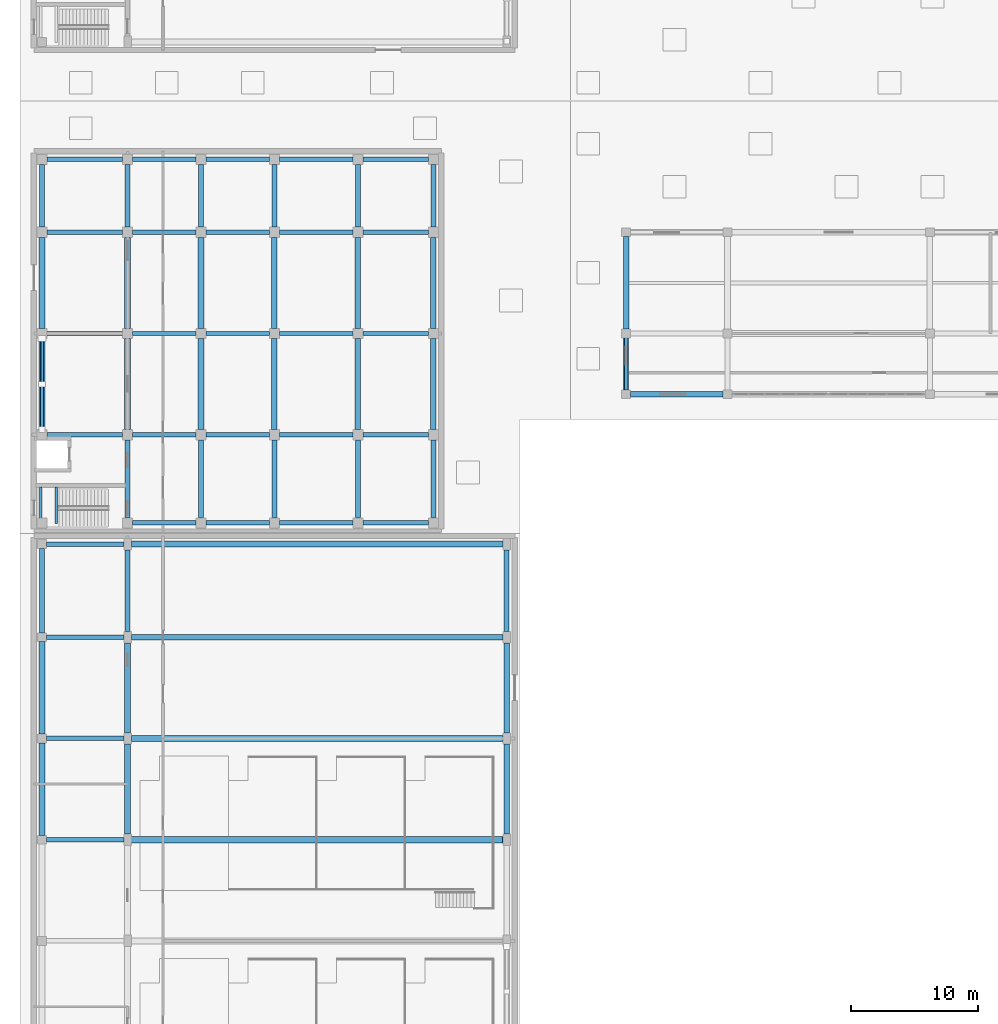
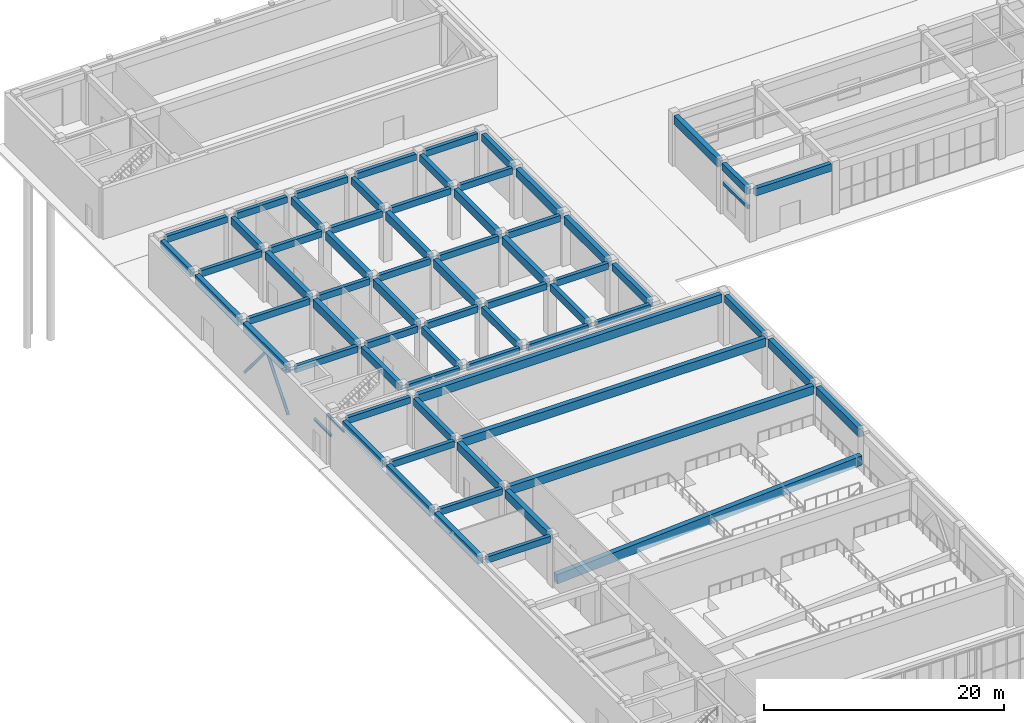
# One storey, part 9 of 46: 70 beams, 2 members.
"""IFC4 building model written with IfcOpenShell, lengths in metres."""

from ifc_helpers import new_model, si_unit, direction, frame, origin, origin_2d, place, context, subcontext, project, spatial, rectangle, hollow_circle, i_section, extrude, material, material_profile, profile_set, type_object, element, save


model = new_model("IFC4")

# Units and contexts
model_context = context("Model", 3, precision=1e-05, world=origin(), true_north=direction((0.0, 1.0)))
body_context = subcontext(model_context, "Body", "Model", "MODEL_VIEW")
ifc_project = project(units=[si_unit("LENGTHUNIT", "METRE"), si_unit("AREAUNIT", "SQUARE_METRE"), si_unit("VOLUMEUNIT", "CUBIC_METRE"), si_unit("PLANEANGLEUNIT", "RADIAN"), si_unit("MASSUNIT", "GRAM", prefix="KILO")], contexts=[model_context])

# Site, building, storey
site_placement = place(None, origin())
site = spatial("IfcSite", under=ifc_project, at=site_placement, CompositionType="ELEMENT")
building_placement = place(site_placement, origin())
building = spatial("IfcBuilding", under=site, at=building_placement, Name="Cinchona Park Media Centre", CompositionType="ELEMENT")
storey_placement = place(building_placement, origin())
storey = spatial("IfcBuildingStorey", under=building, at=storey_placement, Name="L00", CompositionType="ELEMENT", Elevation=0.0)

# Beams
ifc_material_1 = material(Name="Concrete C35/45", Category="concrete")
ifc_material_profile_1 = material_profile(ifc_material_1, rectangle(XDim=0.39990234375, YDim=0.75, at=origin_2d()), Name="RB 400X750")
ifc_profile_set_1 = profile_set([ifc_material_profile_1], Name="Concrete C35/45")
beam_type_1 = type_object("IfcBeamType", Name="BEAM-B01-RB400X750", PredefinedType="BEAM", material=ifc_profile_set_1)
beam_1_placement = place(storey_placement, frame((8.639892578125, 55.949951171875, 4.764892578125), z_axis=(0.0, 1.0, 0.0), x_axis=(-1.0, 0.0, 0.0)))
element("IfcBeam", 1, at=beam_1_placement, inside=storey, type_object=beam_type_1, Name="Girder B01 L00", PredefinedType="BEAM", context=body_context, shape_type="SweptSolid", body=[
    extrude(rectangle(XDim=0.39990234375, YDim=0.75, at=origin_2d()), origin(), (0.0, 0.0, 1.0), 6.66015625),
])
for number, where, z_axis, x_axis, name in (
    (2, (15.39990234375, 56.050048828125, 4.764892578125), (0.0, 1.0, 0.0), (-1.0, 0.0, 0.0), "Girder B01 L00"),
    (3, (45.360107421875, 56.050048828125, 4.764892578125), (0.0, 1.0, 0.0), (-1.0, 0.0, 0.0), "Girder B01 L00"),
):
    element("IfcBeam", number, at=place(storey_placement, frame(where, z_axis=z_axis, x_axis=x_axis)), inside=storey, type_object=beam_type_1, Name=name, PredefinedType="BEAM", context=body_context, shape_type="SweptSolid", body=[
        extrude(rectangle(XDim=0.39990234375, YDim=0.75, at=origin_2d()), origin(), (0.0, 0.0, 1.0), 6.4599609375),
    ])
beam_2_placement = place(storey_placement, frame((8.639892578125, 88.0, 4.7451171875), z_axis=(0.0, 1.0, 0.0), x_axis=(-1.0, 0.0, 0.0)))
element("IfcBeam", 4, at=beam_2_placement, inside=storey, type_object=beam_type_1, Name="Girder B01 L00", PredefinedType="BEAM", context=body_context, shape_type="SweptSolid", body=[
    extrude(rectangle(XDim=0.39990234375, YDim=0.75, at=origin_2d()), origin(), (0.0, 0.0, 1.0), 4.9599609375),
])
beam_3_placement = place(storey_placement, frame((15.39990234375, 65.0400390625, 4.7451171875), z_axis=(0.0, 1.0, 0.0), x_axis=(-1.0, 0.0, 0.0)))
element("IfcBeam", 5, at=beam_3_placement, inside=storey, type_object=beam_type_1, Name="Girder B01 L00", PredefinedType="BEAM", context=body_context, shape_type="SweptSolid", body=[
    extrude(rectangle(XDim=0.39990234375, YDim=0.75, at=origin_2d()), origin(), (0.0, 0.0, 1.0), 6.159912109375),
])
beam_4_placement = place(storey_placement, frame((15.39990234375, 88.0, 4.7451171875), z_axis=(0.0, 1.0, 0.0), x_axis=(-1.0, 0.0, 0.0)))
element("IfcBeam", 6, at=beam_4_placement, inside=storey, type_object=beam_type_1, Name="Girder B01 L00", PredefinedType="BEAM", context=body_context, shape_type="SweptSolid", body=[
    extrude(rectangle(XDim=0.39990234375, YDim=0.75, at=origin_2d()), origin(), (0.0, 0.0, 1.0), 4.9599609375),
])
beam_5_placement = place(storey_placement, frame((21.199951171875, 65.0400390625, 4.7451171875), z_axis=(0.0, 1.0, 0.0), x_axis=(-1.0, 0.0, 0.0)))
element("IfcBeam", 7, at=beam_5_placement, inside=storey, type_object=beam_type_1, Name="Girder B01 L00", PredefinedType="BEAM", context=body_context, shape_type="SweptSolid", body=[
    extrude(rectangle(XDim=0.39990234375, YDim=0.75, at=origin_2d()), origin(), (0.0, 0.0, 1.0), 6.159912109375),
])
beam_6_placement = place(storey_placement, frame((21.199951171875, 88.0, 4.7451171875), z_axis=(0.0, 1.0, 0.0), x_axis=(-1.0, 0.0, 0.0)))
element("IfcBeam", 8, at=beam_6_placement, inside=storey, type_object=beam_type_1, Name="Girder B01 L00", PredefinedType="BEAM", context=body_context, shape_type="SweptSolid", body=[
    extrude(rectangle(XDim=0.39990234375, YDim=0.75, at=origin_2d()), origin(), (0.0, 0.0, 1.0), 4.9599609375),
])
beam_7_placement = place(storey_placement, frame((27.0, 65.0400390625, 4.7451171875), z_axis=(0.0, 1.0, 0.0), x_axis=(-1.0, 0.0, 0.0)))
element("IfcBeam", 9, at=beam_7_placement, inside=storey, type_object=beam_type_1, Name="Girder B01 L00", PredefinedType="BEAM", context=body_context, shape_type="SweptSolid", body=[
    extrude(rectangle(XDim=0.39990234375, YDim=0.75, at=origin_2d()), origin(), (0.0, 0.0, 1.0), 6.159912109375),
])
beam_8_placement = place(storey_placement, frame((27.0, 88.0, 4.7451171875), z_axis=(0.0, 1.0, 0.0), x_axis=(-1.0, 0.0, 0.0)))
element("IfcBeam", 10, at=beam_8_placement, inside=storey, type_object=beam_type_1, Name="Girder B01 L00", PredefinedType="BEAM", context=body_context, shape_type="SweptSolid", body=[
    extrude(rectangle(XDim=0.39990234375, YDim=0.75, at=origin_2d()), origin(), (0.0, 0.0, 1.0), 4.9599609375),
])
beam_9_placement = place(storey_placement, frame((33.60009765625, 65.0400390625, 4.7451171875), z_axis=(0.0, 1.0, 0.0), x_axis=(-1.0, 0.0, 0.0)))
element("IfcBeam", 11, at=beam_9_placement, inside=storey, type_object=beam_type_1, Name="Girder B01 L00", PredefinedType="BEAM", context=body_context, shape_type="SweptSolid", body=[
    extrude(rectangle(XDim=0.39990234375, YDim=0.75, at=origin_2d()), origin(), (0.0, 0.0, 1.0), 6.159912109375),
])
beam_10_placement = place(storey_placement, frame((33.60009765625, 88.0, 4.7451171875), z_axis=(0.0, 1.0, 0.0), x_axis=(-1.0, 0.0, 0.0)))
element("IfcBeam", 12, at=beam_10_placement, inside=storey, type_object=beam_type_1, Name="Girder B01 L00", PredefinedType="BEAM", context=body_context, shape_type="SweptSolid", body=[
    extrude(rectangle(XDim=0.39990234375, YDim=0.75, at=origin_2d()), origin(), (0.0, 0.0, 1.0), 4.9599609375),
])
beam_11_placement = place(storey_placement, frame((39.56005859375, 65.0400390625, 4.7451171875), z_axis=(0.0, 1.0, 0.0), x_axis=(-1.0, 0.0, 0.0)))
element("IfcBeam", 13, at=beam_11_placement, inside=storey, type_object=beam_type_1, Name="Girder B01 L00", PredefinedType="BEAM", context=body_context, shape_type="SweptSolid", body=[
    extrude(rectangle(XDim=0.39990234375, YDim=0.75, at=origin_2d()), origin(), (0.0, 0.0, 1.0), 6.159912109375),
])
beam_12_placement = place(storey_placement, frame((39.56005859375, 88.0, 4.7451171875), z_axis=(0.0, 1.0, 0.0), x_axis=(-1.0, 0.0, 0.0)))
element("IfcBeam", 14, at=beam_12_placement, inside=storey, type_object=beam_type_1, Name="Girder B01 L00", PredefinedType="BEAM", context=body_context, shape_type="SweptSolid", body=[
    extrude(rectangle(XDim=0.39990234375, YDim=0.75, at=origin_2d()), origin(), (0.0, 0.0, 1.0), 4.9599609375),
])
beam_13_placement = place(storey_placement, frame((55.14990234375, 74.800048828125, 4.764892578125), z_axis=(1.0, 0.0, 0.0), x_axis=(0.0, 1.0, 0.0)))
element("IfcBeam", 15, at=beam_13_placement, inside=storey, type_object=beam_type_1, Name="Beam B01 L00", PredefinedType="BEAM", context=body_context, shape_type="SweptSolid", body=[
    extrude(rectangle(XDim=0.39990234375, YDim=0.75, at=origin_2d()), origin(), (0.0, 0.0, 1.0), 7.300048828125),
])
beam_14_placement = place(storey_placement, frame((54.800048828125, 75.14990234375, 4.764892578125), z_axis=(0.0, 1.0, 0.0), x_axis=(-1.0, 0.0, 0.0)))
element("IfcBeam", 16, at=beam_14_placement, inside=storey, type_object=beam_type_1, Name="Girder B01 L00", PredefinedType="BEAM", context=body_context, shape_type="SweptSolid", body=[
    extrude(rectangle(XDim=0.39990234375, YDim=0.75, at=origin_2d()), origin(), (0.0, 0.0, 1.0), 4.10009765625),
])
ifc_material_2 = material(Name="Concrete C35/45", Category="concrete")
ifc_material_profile_2 = material_profile(ifc_material_2, rectangle(XDim=0.449951171875, YDim=0.85009765625, at=origin_2d()), Name="RB 450X850")
ifc_profile_set_2 = profile_set([ifc_material_profile_2], Name="Concrete C35/45")
beam_type_2 = type_object("IfcBeamType", Name="BEAM-B02-RB450X850", PredefinedType="BEAM", material=ifc_profile_set_2)
for number, where, z_axis, x_axis, name in (
    (17, (15.699951171875, 47.60009765625, 4.715087890625), (1.0, 0.0, 0.0), (0.0, 1.0, 0.0), "Beam B02 L00"),
    (18, (15.699951171875, 55.60009765625, 4.715087890625), (1.0, 0.0, 0.0), (0.0, 1.0, 0.0), "Beam B02 L00"),
    (19, (15.699951171875, 62.9599609375, 4.715087890625), (1.0, 0.0, 0.0), (0.0, 1.0, 0.0), "Beam B02 L00"),
):
    element("IfcBeam", number, at=place(storey_placement, frame(where, z_axis=z_axis, x_axis=x_axis)), inside=storey, type_object=beam_type_2, Name=name, PredefinedType="BEAM", context=body_context, shape_type="SweptSolid", body=[
        extrude(rectangle(XDim=0.449951171875, YDim=0.85009765625, at=origin_2d()), origin(), (0.0, 0.0, 1.0), 29.360107421875),
    ])
for number, where, z_axis, x_axis, name in (
    (20, (8.639892578125, 39.949951171875, 4.715087890625), (0.0, 1.0, 0.0), (-1.0, 0.0, 0.0), "Girder B02 L00"),
    (21, (8.639892578125, 47.949951171875, 4.715087890625), (0.0, 1.0, 0.0), (-1.0, 0.0, 0.0), "Girder B02 L00"),
):
    element("IfcBeam", number, at=place(storey_placement, frame(where, z_axis=z_axis, x_axis=x_axis)), inside=storey, type_object=beam_type_2, Name=name, PredefinedType="BEAM", context=body_context, shape_type="SweptSolid", body=[
        extrude(rectangle(XDim=0.449951171875, YDim=0.85009765625, at=origin_2d()), origin(), (0.0, 0.0, 1.0), 7.300048828125),
    ])
for number, where, z_axis, x_axis, name in (
    (22, (15.39990234375, 40.050048828125, 4.715087890625), (0.0, 1.0, 0.0), (-1.0, 0.0, 0.0), "Girder B02 L00"),
    (23, (15.39990234375, 48.050048828125, 4.715087890625), (0.0, 1.0, 0.0), (-1.0, 0.0, 0.0), "Girder B02 L00"),
    (24, (45.360107421875, 40.050048828125, 4.715087890625), (0.0, 1.0, 0.0), (-1.0, 0.0, 0.0), "Girder B02 L00"),
    (25, (45.360107421875, 48.050048828125, 4.715087890625), (0.0, 1.0, 0.0), (-1.0, 0.0, 0.0), "Girder B02 L00"),
):
    element("IfcBeam", number, at=place(storey_placement, frame(where, z_axis=z_axis, x_axis=x_axis)), inside=storey, type_object=beam_type_2, Name=name, PredefinedType="BEAM", context=body_context, shape_type="SweptSolid", body=[
        extrude(rectangle(XDim=0.449951171875, YDim=0.85009765625, at=origin_2d()), origin(), (0.0, 0.0, 1.0), 7.099853515625),
    ])
for number, where, z_axis, x_axis, name in (
    (26, (8.639892578125, 72.0, 4.695068359375), (0.0, 1.0, 0.0), (-1.0, 0.0, 0.0), "Girder B02 L00"),
    (27, (8.639892578125, 80.0, 4.695068359375), (0.0, 1.0, 0.0), (-1.0, 0.0, 0.0), "Girder B02 L00"),
    (28, (15.39990234375, 72.0, 4.695068359375), (0.0, 1.0, 0.0), (-1.0, 0.0, 0.0), "Girder B02 L00"),
    (29, (15.39990234375, 80.0, 4.695068359375), (0.0, 1.0, 0.0), (-1.0, 0.0, 0.0), "Girder B02 L00"),
    (30, (21.199951171875, 72.0, 4.695068359375), (0.0, 1.0, 0.0), (-1.0, 0.0, 0.0), "Girder B02 L00"),
    (31, (21.199951171875, 80.0, 4.695068359375), (0.0, 1.0, 0.0), (-1.0, 0.0, 0.0), "Girder B02 L00"),
    (32, (27.0, 72.0, 4.695068359375), (0.0, 1.0, 0.0), (-1.0, 0.0, 0.0), "Girder B02 L00"),
    (33, (27.0, 80.0, 4.695068359375), (0.0, 1.0, 0.0), (-1.0, 0.0, 0.0), "Girder B02 L00"),
    (34, (33.60009765625, 72.0, 4.695068359375), (0.0, 1.0, 0.0), (-1.0, 0.0, 0.0), "Girder B02 L00"),
    (35, (33.60009765625, 80.0, 4.695068359375), (0.0, 1.0, 0.0), (-1.0, 0.0, 0.0), "Girder B02 L00"),
    (36, (39.56005859375, 72.0, 4.695068359375), (0.0, 1.0, 0.0), (-1.0, 0.0, 0.0), "Girder B02 L00"),
    (37, (39.56005859375, 80.0, 4.695068359375), (0.0, 1.0, 0.0), (-1.0, 0.0, 0.0), "Girder B02 L00"),
):
    element("IfcBeam", number, at=place(storey_placement, frame(where, z_axis=z_axis, x_axis=x_axis)), inside=storey, type_object=beam_type_2, Name=name, PredefinedType="BEAM", context=body_context, shape_type="SweptSolid", body=[
        extrude(rectangle(XDim=0.449951171875, YDim=0.85009765625, at=origin_2d()), origin(), (0.0, 0.0, 1.0), 7.199951171875),
    ])
beam_15_placement = place(storey_placement, frame((54.800048828125, 79.949951171875, 4.715087890625), z_axis=(0.0, 1.0, 0.0), x_axis=(-1.0, 0.0, 0.0)))
element("IfcBeam", 38, at=beam_15_placement, inside=storey, type_object=beam_type_2, Name="Girder B02 L00", PredefinedType="BEAM", context=body_context, shape_type="SweptSolid", body=[
    extrude(rectangle(XDim=0.449951171875, YDim=0.85009765625, at=origin_2d()), origin(), (0.0, 0.0, 1.0), 7.300048828125),
])
ifc_material_3 = material(Name="Concrete C40/50", Category="concrete")
ifc_material_profile_3 = material_profile(ifc_material_3, rectangle(XDim=0.5, YDim=0.949951171875, at=origin_2d()), Name="RB 500X950")
ifc_profile_set_3 = profile_set([ifc_material_profile_3], Name="Concrete C40/50")
beam_type_3 = type_object("IfcBeamType", Name="BEAM-B03-RB500X950", PredefinedType="BEAM", material=ifc_profile_set_3)
beam_16_placement = place(storey_placement, frame((15.68994140625, 39.60009765625, 0.550048828125), z_axis=(0.998002338819, 0.0, 0.063176987204), x_axis=(0.0, 1.0, 0.0)))
element("IfcBeam", 39, at=beam_16_placement, inside=storey, type_object=beam_type_3, Name="RAKER Beam Cinema Hall 2 2", PredefinedType="BEAM", context=body_context, shape_type="SweptSolid", body=[
    extrude(rectangle(XDim=0.5, YDim=0.949951171875, at=origin_2d()), origin(), (0.0, 0.0, 1.0), 29.43896484375),
])
ifc_material_4 = material(Name="Concrete C35/45", Category="concrete")
ifc_material_profile_4 = material_profile(ifc_material_4, rectangle(XDim=0.35009765625, YDim=0.64990234375, at=origin_2d()), Name="RB 350X650")
ifc_profile_set_4 = profile_set([ifc_material_profile_4], Name="Concrete C35/45")
beam_type_4 = type_object("IfcBeamType", Name="BEAM-B04-RB350X650", PredefinedType="BEAM", material=ifc_profile_set_4)
for number, where, z_axis, x_axis, name in (
    (40, (8.989990234375, 39.60009765625, 4.81494140625), (1.0, 0.0, 0.0), (0.0, 1.0, 0.0), "Beam B04 L00"),
    (41, (8.989990234375, 47.60009765625, 4.81494140625), (1.0, 0.0, 0.0), (0.0, 1.0, 0.0), "Beam B04 L00"),
    (42, (8.989990234375, 55.60009765625, 4.81494140625), (1.0, 0.0, 0.0), (0.0, 1.0, 0.0), "Beam B04 L00"),
    (43, (8.989990234375, 62.9599609375, 4.81494140625), (1.0, 0.0, 0.0), (0.0, 1.0, 0.0), "Beam B04 L00"),
):
    element("IfcBeam", number, at=place(storey_placement, frame(where, z_axis=z_axis, x_axis=x_axis)), inside=storey, type_object=beam_type_4, Name=name, PredefinedType="BEAM", context=body_context, shape_type="SweptSolid", body=[
        extrude(rectangle(XDim=0.35009765625, YDim=0.64990234375, at=origin_2d()), origin(), (0.0, 0.0, 1.0), 6.110107421875),
    ])
for number, where, z_axis, x_axis, name in (
    (44, (15.800048828125, 64.639892578125, 4.794921875), (1.0, 0.0, 0.0), (0.0, 1.0, 0.0), "Beam B04 L00"),
    (45, (21.60009765625, 64.639892578125, 4.794921875), (1.0, 0.0, 0.0), (0.0, 1.0, 0.0), "Beam B04 L00"),
):
    element("IfcBeam", number, at=place(storey_placement, frame(where, z_axis=z_axis, x_axis=x_axis)), inside=storey, type_object=beam_type_4, Name=name, PredefinedType="BEAM", context=body_context, shape_type="SweptSolid", body=[
        extrude(rectangle(XDim=0.35009765625, YDim=0.64990234375, at=origin_2d()), origin(), (0.0, 0.0, 1.0), 5.0),
    ])
beam_17_placement = place(storey_placement, frame((27.39990234375, 64.639892578125, 4.794921875), z_axis=(1.0, 0.0, 0.0), x_axis=(0.0, 1.0, 0.0)))
element("IfcBeam", 46, at=beam_17_placement, inside=storey, type_object=beam_type_4, Name="Beam B04 L00", PredefinedType="BEAM", context=body_context, shape_type="SweptSolid", body=[
    extrude(rectangle(XDim=0.35009765625, YDim=0.64990234375, at=origin_2d()), origin(), (0.0, 0.0, 1.0), 5.800048828125),
])
beam_18_placement = place(storey_placement, frame((34.0, 64.639892578125, 4.794921875), z_axis=(1.0, 0.0, 0.0), x_axis=(0.0, 1.0, 0.0)))
element("IfcBeam", 47, at=beam_18_placement, inside=storey, type_object=beam_type_4, Name="Beam B04 L00", PredefinedType="BEAM", context=body_context, shape_type="SweptSolid", body=[
    extrude(rectangle(XDim=0.35009765625, YDim=0.64990234375, at=origin_2d()), origin(), (0.0, 0.0, 1.0), 5.159912109375),
])
beam_19_placement = place(storey_placement, frame((9.0400390625, 71.60009765625, 4.794921875), z_axis=(1.0, 0.0, 0.0), x_axis=(0.0, 1.0, 0.0)))
element("IfcBeam", 48, at=beam_19_placement, inside=storey, type_object=beam_type_4, Name="Beam B04 L00", PredefinedType="BEAM", context=body_context, shape_type="SweptSolid", body=[
    extrude(rectangle(XDim=0.35009765625, YDim=0.64990234375, at=origin_2d()), origin(), (0.0, 0.0, 1.0), 5.9599609375),
])
for number, where, z_axis, x_axis, name in (
    (49, (15.800048828125, 71.60009765625, 4.794921875), (1.0, 0.0, 0.0), (0.0, 1.0, 0.0), "Beam B04 L00"),
    (50, (21.60009765625, 71.60009765625, 4.794921875), (1.0, 0.0, 0.0), (0.0, 1.0, 0.0), "Beam B04 L00"),
):
    element("IfcBeam", number, at=place(storey_placement, frame(where, z_axis=z_axis, x_axis=x_axis)), inside=storey, type_object=beam_type_4, Name=name, PredefinedType="BEAM", context=body_context, shape_type="SweptSolid", body=[
        extrude(rectangle(XDim=0.35009765625, YDim=0.64990234375, at=origin_2d()), origin(), (0.0, 0.0, 1.0), 5.0),
    ])
beam_20_placement = place(storey_placement, frame((27.39990234375, 71.60009765625, 4.794921875), z_axis=(1.0, 0.0, 0.0), x_axis=(0.0, 1.0, 0.0)))
element("IfcBeam", 51, at=beam_20_placement, inside=storey, type_object=beam_type_4, Name="Beam B04 L00", PredefinedType="BEAM", context=body_context, shape_type="SweptSolid", body=[
    extrude(rectangle(XDim=0.35009765625, YDim=0.64990234375, at=origin_2d()), origin(), (0.0, 0.0, 1.0), 5.800048828125),
])
beam_21_placement = place(storey_placement, frame((34.0, 71.60009765625, 4.794921875), z_axis=(1.0, 0.0, 0.0), x_axis=(0.0, 1.0, 0.0)))
element("IfcBeam", 52, at=beam_21_placement, inside=storey, type_object=beam_type_4, Name="Beam B04 L00", PredefinedType="BEAM", context=body_context, shape_type="SweptSolid", body=[
    extrude(rectangle(XDim=0.35009765625, YDim=0.64990234375, at=origin_2d()), origin(), (0.0, 0.0, 1.0), 5.159912109375),
])
beam_22_placement = place(storey_placement, frame((9.0400390625, 79.60009765625, 4.794921875), z_axis=(1.0, 0.0, 0.0), x_axis=(0.0, 1.0, 0.0)))
element("IfcBeam", 53, at=beam_22_placement, inside=storey, type_object=beam_type_4, Name="Beam B04 L00", PredefinedType="BEAM", context=body_context, shape_type="SweptSolid", body=[
    extrude(rectangle(XDim=0.35009765625, YDim=0.64990234375, at=origin_2d()), origin(), (0.0, 0.0, 1.0), 5.9599609375),
])
for number, where, z_axis, x_axis, name in (
    (54, (15.800048828125, 79.60009765625, 4.794921875), (1.0, 0.0, 0.0), (0.0, 1.0, 0.0), "Beam B04 L00"),
    (55, (21.60009765625, 79.60009765625, 4.794921875), (1.0, 0.0, 0.0), (0.0, 1.0, 0.0), "Beam B04 L00"),
):
    element("IfcBeam", number, at=place(storey_placement, frame(where, z_axis=z_axis, x_axis=x_axis)), inside=storey, type_object=beam_type_4, Name=name, PredefinedType="BEAM", context=body_context, shape_type="SweptSolid", body=[
        extrude(rectangle(XDim=0.35009765625, YDim=0.64990234375, at=origin_2d()), origin(), (0.0, 0.0, 1.0), 5.0),
    ])
beam_23_placement = place(storey_placement, frame((27.39990234375, 79.60009765625, 4.794921875), z_axis=(1.0, 0.0, 0.0), x_axis=(0.0, 1.0, 0.0)))
element("IfcBeam", 56, at=beam_23_placement, inside=storey, type_object=beam_type_4, Name="Beam B04 L00", PredefinedType="BEAM", context=body_context, shape_type="SweptSolid", body=[
    extrude(rectangle(XDim=0.35009765625, YDim=0.64990234375, at=origin_2d()), origin(), (0.0, 0.0, 1.0), 5.800048828125),
])
beam_24_placement = place(storey_placement, frame((34.0, 79.60009765625, 4.794921875), z_axis=(1.0, 0.0, 0.0), x_axis=(0.0, 1.0, 0.0)))
element("IfcBeam", 57, at=beam_24_placement, inside=storey, type_object=beam_type_4, Name="Beam B04 L00", PredefinedType="BEAM", context=body_context, shape_type="SweptSolid", body=[
    extrude(rectangle(XDim=0.35009765625, YDim=0.64990234375, at=origin_2d()), origin(), (0.0, 0.0, 1.0), 5.159912109375),
])
beam_25_placement = place(storey_placement, frame((9.0400390625, 87.60009765625, 4.794921875), z_axis=(1.0, 0.0, 0.0), x_axis=(0.0, 1.0, 0.0)))
element("IfcBeam", 58, at=beam_25_placement, inside=storey, type_object=beam_type_4, Name="Beam B04 L00", PredefinedType="BEAM", context=body_context, shape_type="SweptSolid", body=[
    extrude(rectangle(XDim=0.35009765625, YDim=0.64990234375, at=origin_2d()), origin(), (0.0, 0.0, 1.0), 5.9599609375),
])
for number, where, z_axis, x_axis, name in (
    (59, (15.800048828125, 87.60009765625, 4.794921875), (1.0, 0.0, 0.0), (0.0, 1.0, 0.0), "Beam B04 L00"),
    (60, (21.60009765625, 87.60009765625, 4.794921875), (1.0, 0.0, 0.0), (0.0, 1.0, 0.0), "Beam B04 L00"),
):
    element("IfcBeam", number, at=place(storey_placement, frame(where, z_axis=z_axis, x_axis=x_axis)), inside=storey, type_object=beam_type_4, Name=name, PredefinedType="BEAM", context=body_context, shape_type="SweptSolid", body=[
        extrude(rectangle(XDim=0.35009765625, YDim=0.64990234375, at=origin_2d()), origin(), (0.0, 0.0, 1.0), 5.0),
    ])
beam_26_placement = place(storey_placement, frame((27.39990234375, 87.60009765625, 4.794921875), z_axis=(1.0, 0.0, 0.0), x_axis=(0.0, 1.0, 0.0)))
element("IfcBeam", 61, at=beam_26_placement, inside=storey, type_object=beam_type_4, Name="Beam B04 L00", PredefinedType="BEAM", context=body_context, shape_type="SweptSolid", body=[
    extrude(rectangle(XDim=0.35009765625, YDim=0.64990234375, at=origin_2d()), origin(), (0.0, 0.0, 1.0), 5.800048828125),
])
beam_27_placement = place(storey_placement, frame((34.0, 87.60009765625, 4.794921875), z_axis=(1.0, 0.0, 0.0), x_axis=(0.0, 1.0, 0.0)))
element("IfcBeam", 62, at=beam_27_placement, inside=storey, type_object=beam_type_4, Name="Beam B04 L00", PredefinedType="BEAM", context=body_context, shape_type="SweptSolid", body=[
    extrude(rectangle(XDim=0.35009765625, YDim=0.64990234375, at=origin_2d()), origin(), (0.0, 0.0, 1.0), 5.159912109375),
])
beam_28_placement = place(storey_placement, frame((9.0400390625, 93.360107421875, 4.794921875), z_axis=(1.0, 0.0, 0.0), x_axis=(0.0, 1.0, 0.0)))
element("IfcBeam", 63, at=beam_28_placement, inside=storey, type_object=beam_type_4, Name="Beam B04 L00", PredefinedType="BEAM", context=body_context, shape_type="SweptSolid", body=[
    extrude(rectangle(XDim=0.35009765625, YDim=0.64990234375, at=origin_2d()), origin(), (0.0, 0.0, 1.0), 5.9599609375),
])
for number, where, z_axis, x_axis, name in (
    (64, (15.800048828125, 93.360107421875, 4.794921875), (1.0, 0.0, 0.0), (0.0, 1.0, 0.0), "Beam B04 L00"),
    (65, (21.60009765625, 93.360107421875, 4.794921875), (1.0, 0.0, 0.0), (0.0, 1.0, 0.0), "Beam B04 L00"),
):
    element("IfcBeam", number, at=place(storey_placement, frame(where, z_axis=z_axis, x_axis=x_axis)), inside=storey, type_object=beam_type_4, Name=name, PredefinedType="BEAM", context=body_context, shape_type="SweptSolid", body=[
        extrude(rectangle(XDim=0.35009765625, YDim=0.64990234375, at=origin_2d()), origin(), (0.0, 0.0, 1.0), 5.0),
    ])
beam_29_placement = place(storey_placement, frame((27.39990234375, 93.360107421875, 4.794921875), z_axis=(1.0, 0.0, 0.0), x_axis=(0.0, 1.0, 0.0)))
element("IfcBeam", 66, at=beam_29_placement, inside=storey, type_object=beam_type_4, Name="Beam B04 L00", PredefinedType="BEAM", context=body_context, shape_type="SweptSolid", body=[
    extrude(rectangle(XDim=0.35009765625, YDim=0.64990234375, at=origin_2d()), origin(), (0.0, 0.0, 1.0), 5.800048828125),
])
beam_30_placement = place(storey_placement, frame((34.0, 93.360107421875, 4.794921875), z_axis=(1.0, 0.0, 0.0), x_axis=(0.0, 1.0, 0.0)))
element("IfcBeam", 67, at=beam_30_placement, inside=storey, type_object=beam_type_4, Name="Beam B04 L00", PredefinedType="BEAM", context=body_context, shape_type="SweptSolid", body=[
    extrude(rectangle(XDim=0.35009765625, YDim=0.64990234375, at=origin_2d()), origin(), (0.0, 0.0, 1.0), 5.159912109375),
])
ifc_material_5 = material(Name="Steel S355", Category="steel")
ifc_material_profile_5 = material_profile(ifc_material_5, i_section(OverallWidth=0.202880859375, OverallDepth=0.202880859375, WebThickness=0.007080078125, FlangeThickness=0.010986328125, at=origin_2d()), Name="W200X46")
ifc_profile_set_5 = profile_set([ifc_material_profile_5], Name="Steel S355")
beam_type_5 = type_object("IfcBeamType", Name="BEAM-B10-W200X46", PredefinedType="BEAM", material=ifc_profile_set_5)
for number, where, z_axis, x_axis, name in (
    (68, (8.5400390625, 67.469970703125, 2.3935546875), (0.0, -1.0, 0.0), (1.0, 0.0, 0.0), "Stair Landing Bearer Beam B10 ST3 L00"),
    (69, (9.760009765625, 67.469970703125, 2.3935546875), (0.0, -1.0, 0.0), (1.0, 0.0, 0.0), "Stair Landing Bearer Beam B10 ST3 L00"),
):
    element("IfcBeam", number, at=place(storey_placement, frame(where, z_axis=z_axis, x_axis=x_axis)), inside=storey, type_object=beam_type_5, Name=name, PredefinedType="BEAM", context=body_context, shape_type="SweptSolid", body=[
        extrude(i_section(OverallWidth=0.202880859375, OverallDepth=0.202880859375, WebThickness=0.007080078125, FlangeThickness=0.010986328125, at=origin_2d()), origin(), (0.0, 0.0, 1.0), 2.869873046875),
    ])
ifc_material_6 = material(Name="Concrete C35/45", Category="concrete")
ifc_material_profile_6 = material_profile(ifc_material_6, rectangle(XDim=0.25, YDim=0.35009765625, at=origin_2d()), Name="RL 250X350")
ifc_profile_set_6 = profile_set([ifc_material_profile_6], Name="Concrete C35/45")
beam_type_6 = type_object("IfcBeamType", Name="BEAM-LN01-RL250X350", PredefinedType="LINTEL", material=ifc_profile_set_6)
beam_31_placement = place(storey_placement, frame((54.800048828125, 75.1298828125, 3.074951171875), z_axis=(0.0, 1.0, 0.0), x_axis=(-1.0, 0.0, 0.0)))
element("IfcBeam", 70, at=beam_31_placement, inside=storey, type_object=beam_type_6, Name="Window Lintel LN01", PredefinedType="LINTEL", context=body_context, shape_type="SweptSolid", body=[
    extrude(rectangle(XDim=0.25, YDim=0.35009765625, at=origin_2d()), origin(), (0.0, 0.0, 1.0), 4.14013671875),
])

# Members
ifc_material_7 = material(Name="Steel S355", Category="steel")
ifc_material_profile_7 = material_profile(ifc_material_7, hollow_circle(Radius=0.136474609375, WallThickness=0.01611328125, at=origin_2d()), Name="273X16CHS")
ifc_profile_set_7 = profile_set([ifc_material_profile_7], Name="Steel S355")
member_type = type_object("IfcMemberType", Name="MEMBER-BR01-CHS273X16", PredefinedType="BRACE", material=ifc_profile_set_7)
member_1_placement = place(storey_placement, frame((8.639892578125, 72.0048828125, 0.0048828125), z_axis=(0.0, 0.640103161645, 0.768288970669), x_axis=(-1.0, 0.0, 0.0)))
element("IfcMember", 71, at=member_1_placement, inside=storey, type_object=member_type, Name="Vertical Chevron Brace BR01 L00", PredefinedType="BRACE", context=body_context, shape_type="SweptSolid", body=[
    extrude(hollow_circle(Radius=0.136474609375, WallThickness=0.01611328125, at=origin_2d()), origin(), (0.0, 0.0, 1.0), 5.61669921875),
])
member_2_placement = place(storey_placement, frame((8.639892578125, 79.195068359375, 0.0048828125), z_axis=(0.0, -0.640077503072, 0.768310347491), x_axis=(1.0, 0.0, 0.0)))
element("IfcMember", 72, at=member_2_placement, inside=storey, type_object=member_type, Name="Vertical Chevron Brace BR01 L00", PredefinedType="BRACE", context=body_context, shape_type="SweptSolid", body=[
    extrude(hollow_circle(Radius=0.136474609375, WallThickness=0.01611328125, at=origin_2d()), origin(), (0.0, 0.0, 1.0), 5.616455078125),
])

save(model, "model.ifc")
